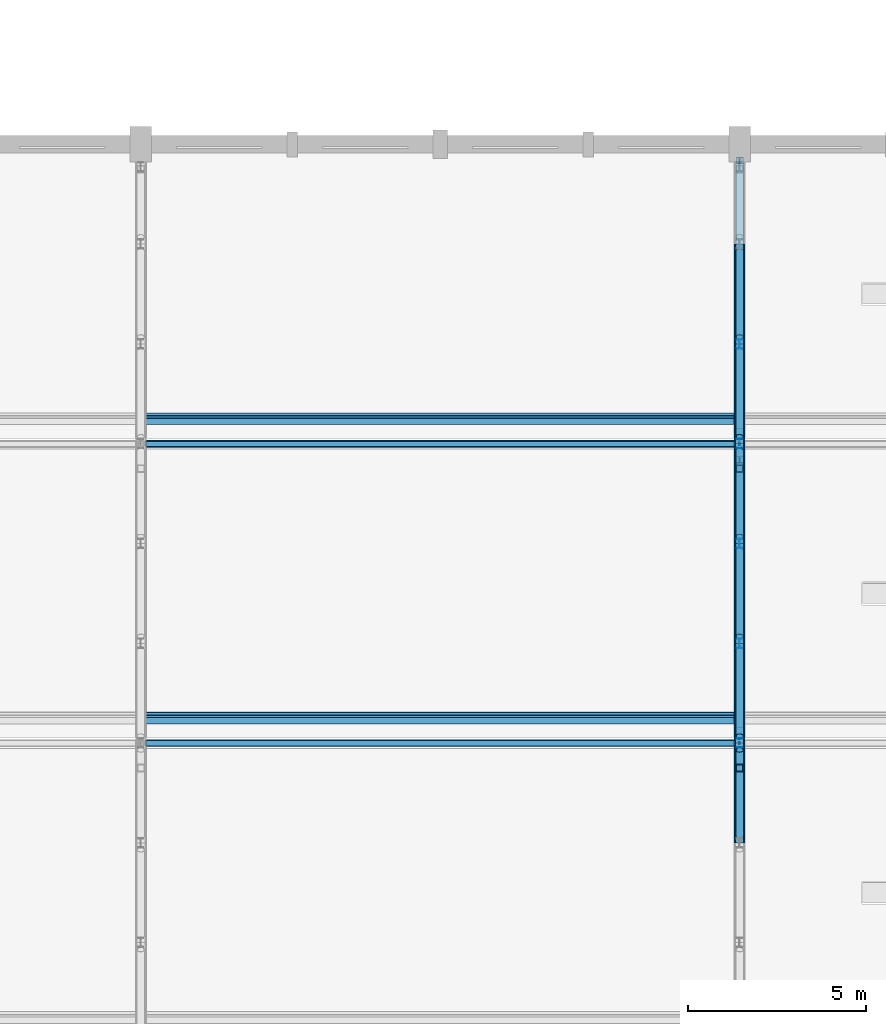
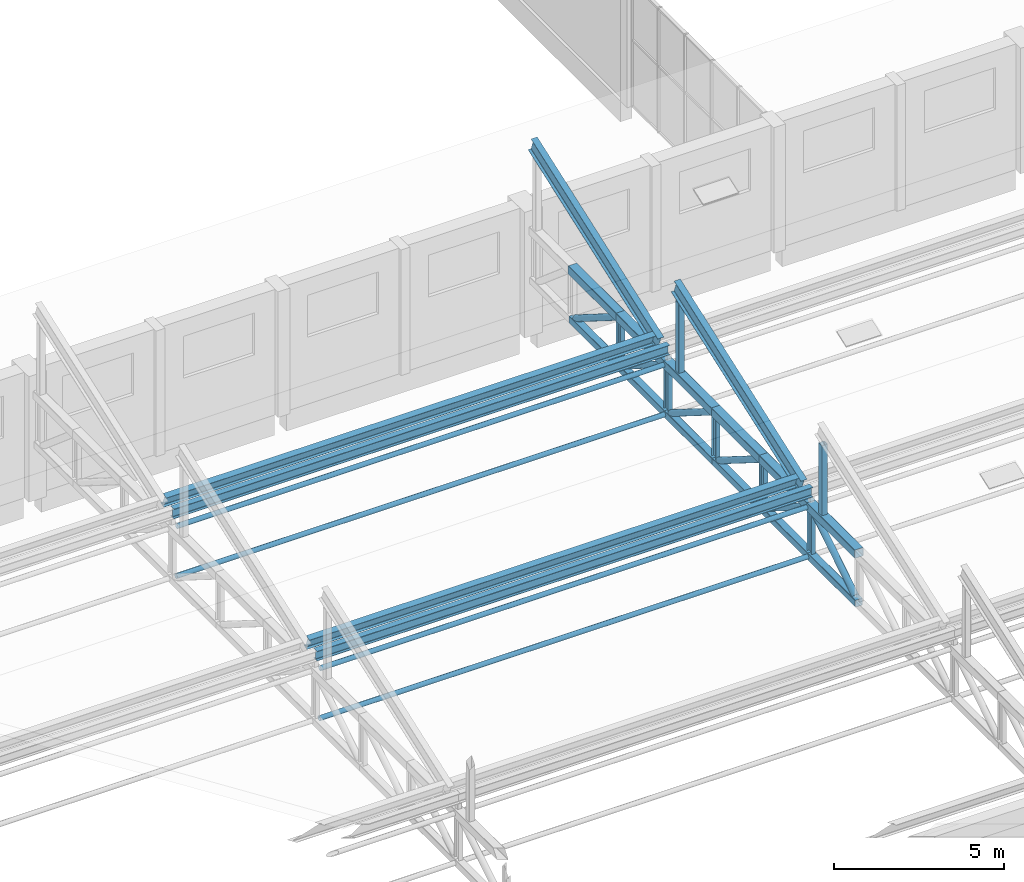
# One storey, part 32 of 101: 33 members, 2 beams.
"""IFC4 building model written with IfcOpenShell, lengths in metres."""

import ifcopenshell
import ifcopenshell.guid

model = None  # the IFC model being written
_history = None  # IfcOwnerHistory: only IFC2X3 demands one
_inside = {}  # id of a spatial element -> (the spatial element, [elements in it])
_under = {}  # id of a project, library or spatial element -> (it, [spatial elements below it])
_declared = {}  # id of a project -> (the project, [libraries it declares])
_typed = {}  # id of a type object -> (the type object, [elements of that type])
_made_of = {}  # id of a material, layer set ... -> (it, [elements and type objects made of it])


def new_model(schema):
    """Start an empty IFC model of exactly this schema.

    Asked for "IFC4X3", IfcOpenShell would pick the latest addendum, in which some entities
    have other attributes; the version numbers below select the first issue.
    IFC2X3 requires an IfcOwnerHistory on every rooted entity: one is made here for all.
    """
    global model, _history
    if schema == "IFC4X3":
        model = ifcopenshell.file(schema_version=(4, 3, 0, 0))
    else:
        model = ifcopenshell.file(schema=schema)
    _inside.clear()
    _under.clear()
    _declared.clear()
    _typed.clear()
    _made_of.clear()
    _history = None
    if model.schema == "IFC2X3":
        org = make("IfcOrganization", Name="unknown")
        user = make(
            "IfcPersonAndOrganization",
            ThePerson=make("IfcPerson", FamilyName="unknown"),
            TheOrganization=org,
        )
        app = make(
            "IfcApplication",
            ApplicationDeveloper=org,
            Version="unknown",
            ApplicationFullName="unknown",
            ApplicationIdentifier="unknown",
        )
        _history = make(
            "IfcOwnerHistory",
            OwningUser=user,
            OwningApplication=app,
            ChangeAction="ADDED",
            CreationDate=0,
        )
    return model


def make(cls, **values):
    """One entity of the class cls with the attributes given. An attribute that is None is left unset."""
    return model.create_entity(
        cls, **{name: value for name, value in values.items() if value is not None}
    )


def rooted(cls, **values):
    """An entity with a GlobalId (a new one), such as an element, a storey or a relation."""
    return make(cls, GlobalId=ifcopenshell.guid.new(), OwnerHistory=_history, **values)


def si_unit(unit_type, name, prefix=None):
    """IfcSIUnit, for example si_unit("LENGTHUNIT", "METRE", prefix="MILLI")."""
    return make("IfcSIUnit", UnitType=unit_type, Prefix=prefix, Name=name)


def assignment(units):
    """IfcUnitAssignment: the units of a project."""
    return None if units is None else make("IfcUnitAssignment", Units=units)


def point(xyz):
    """IfcCartesianPoint."""
    return None if xyz is None else make("IfcCartesianPoint", Coordinates=xyz)


def direction(xyz):
    """IfcDirection."""
    return None if xyz is None else make("IfcDirection", DirectionRatios=xyz)


def frame(location, z_axis=None, x_axis=None):
    """IfcAxis2Placement3D, a coordinate frame: its origin and axes. An axis left out is left unset."""
    return make(
        "IfcAxis2Placement3D",
        Location=point(location),
        Axis=direction(z_axis),
        RefDirection=direction(x_axis),
    )


def frame_2d(location, x_axis=None):
    """IfcAxis2Placement2D, a coordinate frame in the plane: its origin and x axis."""
    return make(
        "IfcAxis2Placement2D", Location=point(location), RefDirection=direction(x_axis)
    )


def origin():
    """The frame at (0, 0, 0) with its axes left unset."""
    return frame((0.0, 0.0, 0.0))


def origin_2d():
    """The frame at (0, 0) in the plane with its x axis left unset."""
    return frame_2d((0.0, 0.0))


def place(relative_to, where):
    """IfcLocalPlacement: puts the frame where relative to a parent placement (None: the world)."""
    return make(
        "IfcLocalPlacement", PlacementRelTo=relative_to, RelativePlacement=where
    )


def context(
    kind, dimensions, precision=None, world=None, true_north=None, identifier=None
):
    """IfcGeometricRepresentationContext, for example the 3D "Model" context."""
    return make(
        "IfcGeometricRepresentationContext",
        ContextIdentifier=identifier,
        ContextType=kind,
        CoordinateSpaceDimension=dimensions,
        Precision=precision,
        WorldCoordinateSystem=world,
        TrueNorth=true_north,
    )


def subcontext(parent, identifier, kind, view, scale=None):
    """IfcGeometricRepresentationSubContext, for example "Body" below "Model"."""
    return make(
        "IfcGeometricRepresentationSubContext",
        ContextIdentifier=identifier,
        ContextType=kind,
        ParentContext=parent,
        TargetScale=scale,
        TargetView=view,
    )


def project(units=None, contexts=None):
    """IfcProject with its units and contexts."""
    return rooted(
        "IfcProject",
        Name="project",
        RepresentationContexts=contexts,
        UnitsInContext=assignment(units),
    )


def spatial(cls, under=None, at=None, **own):
    """A site, building, storey or space (cls), placed at a placement, below another one or the project."""
    s = rooted(cls, ObjectPlacement=at, **own)
    if under is not None:
        _under.setdefault(under.id(), (under, []))[1].append(s)
    return s


def profile(cls, at=None, kind="AREA", **sizes):
    """A parametric profile (cls). Its sizes go by their IFC names, for example OverallWidth=200.0."""
    return make(cls, ProfileType=kind, Position=at, **sizes)


def hollow_rectangle(**sizes):
    """IfcRectangleHollowProfileDef."""
    return profile("IfcRectangleHollowProfileDef", **sizes)


def hollow_circle(**sizes):
    """IfcCircleHollowProfileDef."""
    return profile("IfcCircleHollowProfileDef", **sizes)


def i_section(**sizes):
    """IfcIShapeProfileDef."""
    return profile("IfcIShapeProfileDef", **sizes)


def extrude(swept, where, along, depth):
    """IfcExtrudedAreaSolid: the profile swept, set in the frame where, extruded along a direction by depth."""
    return make(
        "IfcExtrudedAreaSolid",
        SweptArea=swept,
        Position=where,
        ExtrudedDirection=direction(along),
        Depth=depth,
    )


def shape(context_of_items, identifier, shape_type, items):
    """IfcShapeRepresentation: the items that make up one representation, for example the "Body"."""
    return make(
        "IfcShapeRepresentation",
        ContextOfItems=context_of_items,
        RepresentationIdentifier=identifier,
        RepresentationType=shape_type,
        Items=items,
    )


def material(Name=None, Category=None):
    """IfcMaterial."""
    return make("IfcMaterial", Name=Name, Category=Category)


def material_profile(
    of_material, cross_section, Name=None, Category=None, Priority=None
):
    """IfcMaterialProfile: a cross section and its material."""
    return make(
        "IfcMaterialProfile",
        Name=Name,
        Material=of_material,
        Profile=cross_section,
        Priority=Priority,
        Category=Category,
    )


def profile_set(profiles, Name=None, composite=None):
    """IfcMaterialProfileSet."""
    return make(
        "IfcMaterialProfileSet",
        Name=Name,
        MaterialProfiles=profiles,
        CompositeProfile=composite,
    )


def made_of(thing, what):
    """Note that an element or type object is made of a material, layer set ...; save() writes the relation."""
    if what is not None:
        _made_of.setdefault(what.id(), (what, []))[1].append(thing)
    return thing


def type_object(cls, material=None, **own):
    """A type object (cls), such as IfcWallType, which elements share."""
    return made_of(rooted(cls, **own), material)


def element(
    cls,
    number,
    at=None,
    inside=None,
    cuts=None,
    type_object=None,
    material=None,
    context=None,
    identifier="Body",
    shape_type=None,
    held_by="IfcProductDefinitionShape",
    body=None,
    shapes=None,
    **own,
):
    """One element of the class cls, such as IfcWall. Its Tag is "e" and its number.

    at: its placement. inside: the storey or other place that contains it. cuts: it is an
    opening in that element (IfcRelVoidsElement). A single representation is given by context,
    identifier, shape_type and body (its items); several are given by shapes. held_by: the class
    of the entity that holds the representations. save() writes the other relations.
    """
    e = rooted(cls, Tag="e%d" % number, ObjectPlacement=at, **own)
    if body is not None:
        shapes = [shape(context, identifier, shape_type, body)]
    if shapes is not None:
        e.Representation = make(held_by, Representations=shapes)
    if inside is not None:
        _inside.setdefault(inside.id(), (inside, []))[1].append(e)
    if cuts is not None:
        rooted(
            "IfcRelVoidsElement", RelatingBuildingElement=cuts, RelatedOpeningElement=e
        )
    if type_object is not None:
        _typed.setdefault(type_object.id(), (type_object, []))[1].append(e)
    return made_of(e, material)


def aggregate(whole, parts):
    """IfcRelAggregates: a whole, such as a stair, and the parts it consists of."""
    return rooted("IfcRelAggregates", RelatingObject=whole, RelatedObjects=parts)


def save(model, path):
    """Write the relations noted so far, then the file.

    IfcRelAggregates (storeys below a building ...), IfcRelContainedInSpatialStructure (elements
    in a storey), IfcRelDefinesByType, IfcRelAssociatesMaterial and IfcRelDeclares: one each for
    every whole, place, type object, material and project.
    """
    for whole, parts in _under.values():
        aggregate(whole, parts)
    for where, things in _inside.values():
        rooted(
            "IfcRelContainedInSpatialStructure",
            RelatedElements=things,
            RelatingStructure=where,
        )
    for kind, things in _typed.values():
        rooted("IfcRelDefinesByType", RelatedObjects=things, RelatingType=kind)
    for what, things in _made_of.values():
        rooted("IfcRelAssociatesMaterial", RelatedObjects=things, RelatingMaterial=what)
    for by, libraries in _declared.values():
        rooted("IfcRelDeclares", RelatingContext=by, RelatedDefinitions=libraries)
    model.write(path)


model = new_model("IFC4")

# Units and contexts
model_context = context("Model", 3, precision=1e-05, world=origin(), true_north=direction((0.0, 1.0)))
body_context = subcontext(model_context, "Body", "Model", "MODEL_VIEW")
ifc_project = project(units=[si_unit("LENGTHUNIT", "METRE"), si_unit("AREAUNIT", "SQUARE_METRE"), si_unit("VOLUMEUNIT", "CUBIC_METRE"), si_unit("PLANEANGLEUNIT", "RADIAN"), si_unit("MASSUNIT", "GRAM", prefix="KILO")], contexts=[model_context])

# Site, building, storey
site_placement = place(None, origin())
site = spatial("IfcSite", under=ifc_project, at=site_placement, CompositionType="ELEMENT")
building_placement = place(site_placement, origin())
building = spatial("IfcBuilding", under=site, at=building_placement, Name="Fescue Hill Polytechnic", CompositionType="ELEMENT")
storey_placement = place(building_placement, frame((0.0, 0.0, 9.0)))
storey = spatial("IfcBuildingStorey", under=building, at=storey_placement, Name="L02", CompositionType="ELEMENT", Elevation=9.0)

# Members
ifc_material = material(Name="Steel 350W (350 MPa)", Category="steel")
ifc_material_profile_1 = material_profile(ifc_material, hollow_rectangle(XDim=0.25390625, YDim=0.25390625, WallThickness=0.0126953125, InnerFilletRadius=0.0126953125, OuterFilletRadius=0.025390625, at=origin_2d()), Name="Hall truss bottom chord HSS 254x254x13")
ifc_profile_set_1 = profile_set([ifc_material_profile_1], Name="Steel 350W (350 MPa)")
member_type_1 = type_object("IfcMemberType", Name="Hall truss bottom chord HSS 254x254x13", PredefinedType="CHORD", material=ifc_profile_set_1)
member_1_placement = place(storey_placement, frame((84.0, 30.800048828125, 2.0), z_axis=(0.0, 1.0, 0.0), x_axis=(-1.0, 0.0, 0.0)))
element("IfcMember", 1, at=member_1_placement, inside=storey, type_object=member_type_1, Name="Truss TR6 bottom chord 6", PredefinedType="CHORD", context=body_context, shape_type="SweptSolid", body=[
    extrude(hollow_rectangle(XDim=0.25390625, YDim=0.25390625, WallThickness=0.0126953125, InnerFilletRadius=0.0126953125, OuterFilletRadius=0.025390625, at=origin_2d()), origin(), (0.0, 0.0, 1.0), 2.800048828125),
])
member_2_placement = place(storey_placement, frame((84.0, 33.60009765625, 2.0), z_axis=(0.0, 1.0, 0.0), x_axis=(-1.0, 0.0, 0.0)))
element("IfcMember", 2, at=member_2_placement, inside=storey, type_object=member_type_1, Name="Truss TR6 bottom chord 7", PredefinedType="CHORD", context=body_context, shape_type="SweptSolid", body=[
    extrude(hollow_rectangle(XDim=0.25390625, YDim=0.25390625, WallThickness=0.0126953125, InnerFilletRadius=0.0126953125, OuterFilletRadius=0.025390625, at=origin_2d()), origin(), (0.0, 0.0, 1.0), 2.7998046875),
])
for number, where, z_axis, x_axis, name in (
    (3, (84.0, 36.39990234375, 2.0), (0.0, 1.0, 0.0), (-1.0, 0.0, 0.0), "Truss TR6 bottom chord 8"),
    (4, (84.0, 39.199951171875, 2.0), (0.0, 1.0, 0.0), (-1.0, 0.0, 0.0), "Truss TR6 bottom chord 9"),
    (5, (84.0, 42.0, 2.0), (0.0, 1.0, 0.0), (-1.0, 0.0, 0.0), "Truss TR6 bottom chord 10"),
    (6, (84.0, 44.800048828125, 2.0), (0.0, 1.0, 0.0), (-1.0, 0.0, 0.0), "Truss TR6 bottom chord 11"),
):
    element("IfcMember", number, at=place(storey_placement, frame(where, z_axis=z_axis, x_axis=x_axis)), inside=storey, type_object=member_type_1, Name=name, PredefinedType="CHORD", context=body_context, shape_type="SweptSolid", body=[
        extrude(hollow_rectangle(XDim=0.25390625, YDim=0.25390625, WallThickness=0.0126953125, InnerFilletRadius=0.0126953125, OuterFilletRadius=0.025390625, at=origin_2d()), origin(), (0.0, 0.0, 1.0), 2.800048828125),
    ])
ifc_material_profile_2 = material_profile(ifc_material, hollow_circle(Radius=0.109619140625, WallThickness=0.009521484375, at=origin_2d()), Name="Hall truss diagonal CHS 219x9.5")
ifc_profile_set_2 = profile_set([ifc_material_profile_2], Name="Steel 350W (350 MPa)")
member_type_2 = type_object("IfcMemberType", Name="Hall truss diagonal CHS 219x9.5", PredefinedType="BRACE", material=ifc_profile_set_2)
for number, where, z_axis, x_axis, name in (
    (7, (84.0, 31.0, 2.126953125), (0.0, 0.847329350891, 0.531067765091), (-1.0, 0.0, 0.0), "Truss TR6 diagonal 6"),
    (8, (84.0, 33.800048828125, 3.631103515625), (0.0, 0.847329350891, -0.531067765091), (-1.0, 0.0, 0.0), "Truss TR6 diagonal 7"),
    (9, (84.0, 36.60009765625, 3.631103515625), (0.0, 0.847329350891, -0.531067765091), (-1.0, 0.0, 0.0), "Truss TR6 diagonal 8"),
):
    element("IfcMember", number, at=place(storey_placement, frame(where, z_axis=z_axis, x_axis=x_axis)), inside=storey, type_object=member_type_2, Name=name, PredefinedType="BRACE", context=body_context, shape_type="SweptSolid", body=[
        extrude(hollow_circle(Radius=0.109619140625, WallThickness=0.009521484375, at=origin_2d()), origin(), (0.0, 0.0, 1.0), 2.832275390625),
    ])
for number, where, z_axis, x_axis, name in (
    (10, (84.0, 39.39990234375, 3.631103515625), (0.0, 0.847353658992, -0.531028979051), (-1.0, 0.0, 0.0), "Truss TR6 diagonal 9"),
    (11, (84.0, 42.199951171875, 3.631103515625), (0.0, 0.847353658992, -0.531028979051), (-1.0, 0.0, 0.0), "Truss TR6 diagonal 10"),
):
    element("IfcMember", number, at=place(storey_placement, frame(where, z_axis=z_axis, x_axis=x_axis)), inside=storey, type_object=member_type_2, Name=name, PredefinedType="BRACE", context=body_context, shape_type="SweptSolid", body=[
        extrude(hollow_circle(Radius=0.109619140625, WallThickness=0.009521484375, at=origin_2d()), origin(), (0.0, 0.0, 1.0), 2.83251953125),
    ])
member_3_placement = place(storey_placement, frame((84.0, 45.0, 3.631103515625), z_axis=(0.0, 0.847329350891, -0.531067765091), x_axis=(-1.0, 0.0, 0.0)))
element("IfcMember", 12, at=member_3_placement, inside=storey, type_object=member_type_2, Name="Truss TR6 diagonal 11", PredefinedType="BRACE", context=body_context, shape_type="SweptSolid", body=[
    extrude(hollow_circle(Radius=0.109619140625, WallThickness=0.009521484375, at=origin_2d()), origin(), (0.0, 0.0, 1.0), 2.832275390625),
])
ifc_material_profile_3 = material_profile(ifc_material, i_section(OverallWidth=0.14794921875, OverallDepth=0.26611328125, WebThickness=0.007568359375, FlangeThickness=0.012939453125, FilletRadius=0.013916015625, at=origin_2d()), Name="W250x45")
ifc_profile_set_3 = profile_set([ifc_material_profile_3], Name="Steel 350W (350 MPa)")
member_type_3 = type_object("IfcMemberType", Name="Hall truss post W250x45", PredefinedType="POST", material=ifc_profile_set_3)
for number, where, z_axis, x_axis, name in (
    (13, (84.0, 33.60009765625, 2.126953125), (0.0, 0.0, 1.0), (1.0, 0.0, 0.0), "Truss TR6 post 7"),
    (14, (84.0, 36.39990234375, 2.126953125), (0.0, 0.0, 1.0), (1.0, 0.0, 0.0), "Truss TR6 post 8"),
    (15, (84.0, 39.199951171875, 2.126953125), (0.0, 0.0, 1.0), (1.0, 0.0, 0.0), "Truss TR6 post 9"),
    (16, (84.0, 42.0, 2.126953125), (0.0, 0.0, 1.0), (1.0, 0.0, 0.0), "Truss TR6 post 10"),
    (17, (84.0, 44.800048828125, 2.126953125), (0.0, 0.0, 1.0), (1.0, 0.0, 0.0), "Truss TR6 post 11"),
):
    element("IfcMember", number, at=place(storey_placement, frame(where, z_axis=z_axis, x_axis=x_axis)), inside=storey, type_object=member_type_3, Name=name, PredefinedType="POST", context=body_context, shape_type="SweptSolid", body=[
        extrude(i_section(OverallWidth=0.14794921875, OverallDepth=0.26611328125, WebThickness=0.007568359375, FlangeThickness=0.012939453125, FilletRadius=0.013916015625, at=origin_2d()), origin(), (0.0, 0.0, 1.0), 1.504150390625),
    ])
ifc_material_profile_4 = material_profile(ifc_material, hollow_circle(Radius=0.084228515625, WallThickness=0.009521484375, at=origin_2d()), Name="Hall truss tie strut CHS 168x9.5")
ifc_profile_set_4 = profile_set([ifc_material_profile_4], Name="Steel 350W (350 MPa)")
member_type_4 = type_object("IfcMemberType", Name="Hall truss tie strut CHS 168x9.5", PredefinedType="STRUT", material=ifc_profile_set_4)
member_4_placement = place(storey_placement, frame((67.352294921875, 33.60009765625, 3.783447265625), z_axis=(1.0, 0.0, 0.0), x_axis=(0.0, 1.0, 0.0)))
element("IfcMember", 18, at=member_4_placement, inside=storey, type_object=member_type_4, Name="Top chord tie strut bay 5 line 2", PredefinedType="STRUT", context=body_context, shape_type="SweptSolid", body=[
    extrude(hollow_circle(Radius=0.084228515625, WallThickness=0.009521484375, at=origin_2d()), origin(), (0.0, 0.0, 1.0), 16.495361328125),
])
member_5_placement = place(storey_placement, frame((67.326904296875, 33.60009765625, 2.0), z_axis=(1.0, 0.0, 0.0), x_axis=(0.0, 1.0, 0.0)))
element("IfcMember", 19, at=member_5_placement, inside=storey, type_object=member_type_4, Name="Bottom chord tie strut bay 5 line 2", PredefinedType="STRUT", context=body_context, shape_type="SweptSolid", body=[
    extrude(hollow_circle(Radius=0.084228515625, WallThickness=0.009521484375, at=origin_2d()), origin(), (0.0, 0.0, 1.0), 16.546142578125),
])
member_6_placement = place(storey_placement, frame((67.352294921875, 42.0, 3.783447265625), z_axis=(1.0, 0.0, 0.0), x_axis=(0.0, 1.0, 0.0)))
element("IfcMember", 20, at=member_6_placement, inside=storey, type_object=member_type_4, Name="Top chord tie strut bay 5 line 3", PredefinedType="STRUT", context=body_context, shape_type="SweptSolid", body=[
    extrude(hollow_circle(Radius=0.084228515625, WallThickness=0.009521484375, at=origin_2d()), origin(), (0.0, 0.0, 1.0), 16.495361328125),
])
member_7_placement = place(storey_placement, frame((67.326904296875, 42.0, 2.0), z_axis=(1.0, 0.0, 0.0), x_axis=(0.0, 1.0, 0.0)))
element("IfcMember", 21, at=member_7_placement, inside=storey, type_object=member_type_4, Name="Bottom chord tie strut bay 5 line 3", PredefinedType="STRUT", context=body_context, shape_type="SweptSolid", body=[
    extrude(hollow_circle(Radius=0.084228515625, WallThickness=0.009521484375, at=origin_2d()), origin(), (0.0, 0.0, 1.0), 16.546142578125),
])
ifc_material_profile_5 = material_profile(ifc_material, hollow_rectangle(XDim=0.3046875, YDim=0.3046875, WallThickness=0.0126953125, InnerFilletRadius=0.0126953125, OuterFilletRadius=0.025390625, at=origin_2d()), Name="Hall truss top chord HSS 305x305x13")
ifc_profile_set_5 = profile_set([ifc_material_profile_5], Name="Steel 350W (350 MPa)")
member_type_5 = type_object("IfcMemberType", Name="Hall truss top chord HSS 305x305x13", PredefinedType="CHORD", material=ifc_profile_set_5)
member_8_placement = place(storey_placement, frame((84.0, 30.800048828125, 3.783447265625), z_axis=(0.0, 1.0, 0.0), x_axis=(-1.0, 0.0, 0.0)))
element("IfcMember", 22, at=member_8_placement, inside=storey, type_object=member_type_5, Name="Truss TR6 top chord 6", PredefinedType="CHORD", context=body_context, shape_type="SweptSolid", body=[
    extrude(hollow_rectangle(XDim=0.3046875, YDim=0.3046875, WallThickness=0.0126953125, InnerFilletRadius=0.0126953125, OuterFilletRadius=0.025390625, at=origin_2d()), origin(), (0.0, 0.0, 1.0), 2.800048828125),
])
member_9_placement = place(storey_placement, frame((84.0, 33.60009765625, 3.783447265625), z_axis=(0.0, 1.0, 0.0), x_axis=(-1.0, 0.0, 0.0)))
element("IfcMember", 23, at=member_9_placement, inside=storey, type_object=member_type_5, Name="Truss TR6 top chord 7", PredefinedType="CHORD", context=body_context, shape_type="SweptSolid", body=[
    extrude(hollow_rectangle(XDim=0.3046875, YDim=0.3046875, WallThickness=0.0126953125, InnerFilletRadius=0.0126953125, OuterFilletRadius=0.025390625, at=origin_2d()), origin(), (0.0, 0.0, 1.0), 2.7998046875),
])
for number, where, z_axis, x_axis, name in (
    (24, (84.0, 36.39990234375, 3.783447265625), (0.0, 1.0, 0.0), (-1.0, 0.0, 0.0), "Truss TR6 top chord 8"),
    (25, (84.0, 39.199951171875, 3.783447265625), (0.0, 1.0, 0.0), (-1.0, 0.0, 0.0), "Truss TR6 top chord 9"),
    (26, (84.0, 42.0, 3.783447265625), (0.0, 1.0, 0.0), (-1.0, 0.0, 0.0), "Truss TR6 top chord 10"),
    (27, (84.0, 44.800048828125, 3.783447265625), (0.0, 1.0, 0.0), (-1.0, 0.0, 0.0), "Truss TR6 top chord 11"),
):
    element("IfcMember", number, at=place(storey_placement, frame(where, z_axis=z_axis, x_axis=x_axis)), inside=storey, type_object=member_type_5, Name=name, PredefinedType="CHORD", context=body_context, shape_type="SweptSolid", body=[
        extrude(hollow_rectangle(XDim=0.3046875, YDim=0.3046875, WallThickness=0.0126953125, InnerFilletRadius=0.0126953125, OuterFilletRadius=0.025390625, at=origin_2d()), origin(), (0.0, 0.0, 1.0), 2.800048828125),
    ])
ifc_material_profile_6 = material_profile(ifc_material, i_section(OverallWidth=0.18994140625, OverallDepth=0.45703125, WebThickness=0.009033203125, FlangeThickness=0.014404296875, FilletRadius=0.0166015625, at=origin_2d()), Name="W460x74")
ifc_profile_set_6 = profile_set([ifc_material_profile_6], Name="Steel 350W (350 MPa)")
member_type_6 = type_object("IfcMemberType", Name="Tooth purlin W460x74", PredefinedType="PURLIN", material=ifc_profile_set_6)
for number, where, z_axis, x_axis, name in (
    (28, (67.304443359375, 34.300048828125, 4.294921875), (1.0, 0.0, 0.0), (0.0, 0.941741911595, 0.336336396997), "Tooth 3 purlin 1 bay 5"),
    (29, (67.304443359375, 42.699951171875, 4.294921875), (1.0, 0.0, 0.0), (0.0, 0.941741911595, 0.336336396997), "Tooth 4 purlin 1 bay 5"),
):
    element("IfcMember", number, at=place(storey_placement, frame(where, z_axis=z_axis, x_axis=x_axis)), inside=storey, type_object=member_type_6, Name=name, PredefinedType="PURLIN", context=body_context, shape_type="SweptSolid", body=[
        extrude(i_section(OverallWidth=0.18994140625, OverallDepth=0.45703125, WebThickness=0.009033203125, FlangeThickness=0.014404296875, FilletRadius=0.0166015625, at=origin_2d()), origin(), (0.0, 0.0, 1.0), 16.591064453125),
    ])
ifc_material_profile_7 = material_profile(ifc_material, i_section(OverallWidth=0.208984375, OverallDepth=0.532958984375, WebThickness=0.01025390625, FlangeThickness=0.015625, FilletRadius=0.016357421875, at=origin_2d()), Name="W530x92")
ifc_profile_set_7 = profile_set([ifc_material_profile_7], Name="Steel 350W (350 MPa)")
member_type_7 = type_object("IfcMemberType", Name="Tooth rafter W530x92", PredefinedType="RAFTER", material=ifc_profile_set_7)
for number, where, z_axis, x_axis, name in (
    (30, (84.0, 34.1103515625, 4.18701171875), (0.0, 0.941744009147, 0.336330523793), (-1.0, 0.0, 0.0), "Tooth 3 rafter on TR6"),
    (31, (84.0, 42.51025390625, 4.18701171875), (0.0, 0.941744009147, 0.336330523793), (-1.0, 0.0, 0.0), "Tooth 4 rafter on TR6"),
):
    element("IfcMember", number, at=place(storey_placement, frame(where, z_axis=z_axis, x_axis=x_axis)), inside=storey, type_object=member_type_7, Name=name, PredefinedType="RAFTER", context=body_context, shape_type="SweptSolid", body=[
        extrude(i_section(OverallWidth=0.208984375, OverallDepth=0.532958984375, WebThickness=0.01025390625, FlangeThickness=0.015625, FilletRadius=0.016357421875, at=origin_2d()), origin(), (0.0, 0.0, 1.0), 7.89990234375),
    ])
ifc_material_profile_8 = material_profile(ifc_material, hollow_rectangle(XDim=0.203125, YDim=0.203125, WallThickness=0.009521484375, InnerFilletRadius=0.009521484375, OuterFilletRadius=0.01904296875, at=origin_2d()), Name="Tooth ridge post HSS 203x203x9.5")
ifc_profile_set_8 = profile_set([ifc_material_profile_8], Name="Steel 350W (350 MPa)")
member_type_8 = type_object("IfcMemberType", Name="Tooth ridge post HSS 203x203x9.5", PredefinedType="POST", material=ifc_profile_set_8)
for number, where, z_axis, x_axis, name in (
    (32, (84.0, 32.89990234375, 3.93603515625), (0.0, 0.0, 1.0), (1.0, 0.0, 0.0), "Tooth 2 ridge post on TR6"),
    (33, (84.0, 41.300048828125, 3.93603515625), (0.0, 0.0, 1.0), (1.0, 0.0, 0.0), "Tooth 3 ridge post on TR6"),
):
    element("IfcMember", number, at=place(storey_placement, frame(where, z_axis=z_axis, x_axis=x_axis)), inside=storey, type_object=member_type_8, Name=name, PredefinedType="POST", context=body_context, shape_type="SweptSolid", body=[
        extrude(hollow_rectangle(XDim=0.203125, YDim=0.203125, WallThickness=0.009521484375, InnerFilletRadius=0.009521484375, OuterFilletRadius=0.01904296875, at=origin_2d()), origin(), (0.0, 0.0, 1.0), 2.499267578125),
    ])

# Beams
ifc_material_profile_9 = material_profile(ifc_material, i_section(OverallWidth=0.2041015625, OverallDepth=0.35009765625, WebThickness=0.008544921875, FlangeThickness=0.01513671875, FilletRadius=0.02197265625, at=origin_2d()), Name="W360x72")
ifc_profile_set_9 = profile_set([ifc_material_profile_9], Name="Steel 350W (350 MPa)")
beam_type = type_object("IfcBeamType", Name="Valley gutter beam W360x72", PredefinedType="BEAM", material=ifc_profile_set_9)
for number, where, z_axis, x_axis, name in (
    (34, (67.199951171875, 33.60009765625, 4.324951171875), (1.0, 0.0, 0.0), (0.0, 1.0, 0.0), "Valley 3 gutter beam bay 5"),
    (35, (67.199951171875, 42.0, 4.324951171875), (1.0, 0.0, 0.0), (0.0, 1.0, 0.0), "Valley 4 gutter beam bay 5"),
):
    element("IfcBeam", number, at=place(storey_placement, frame(where, z_axis=z_axis, x_axis=x_axis)), inside=storey, type_object=beam_type, Name=name, PredefinedType="BEAM", context=body_context, shape_type="SweptSolid", body=[
        extrude(i_section(OverallWidth=0.2041015625, OverallDepth=0.35009765625, WebThickness=0.008544921875, FlangeThickness=0.01513671875, FilletRadius=0.02197265625, at=origin_2d()), origin(), (0.0, 0.0, 1.0), 16.800048828125),
    ])

save(model, "model.ifc")
